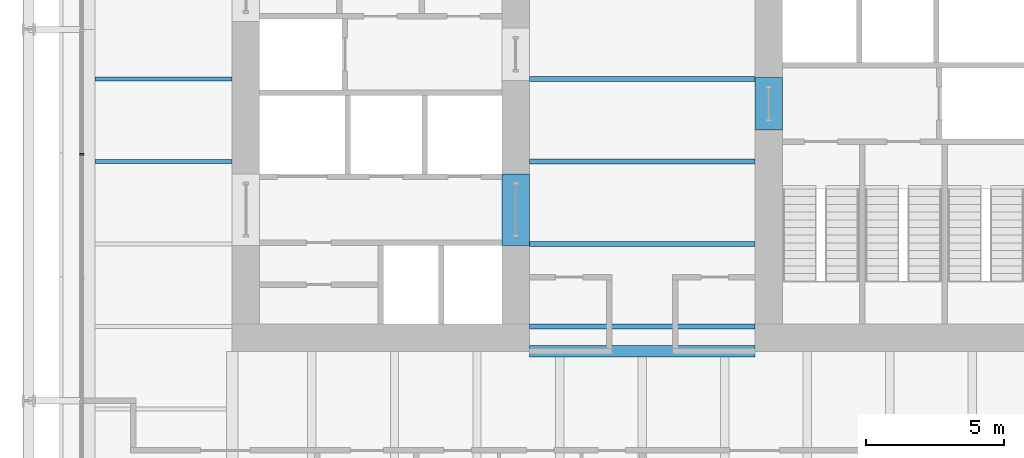
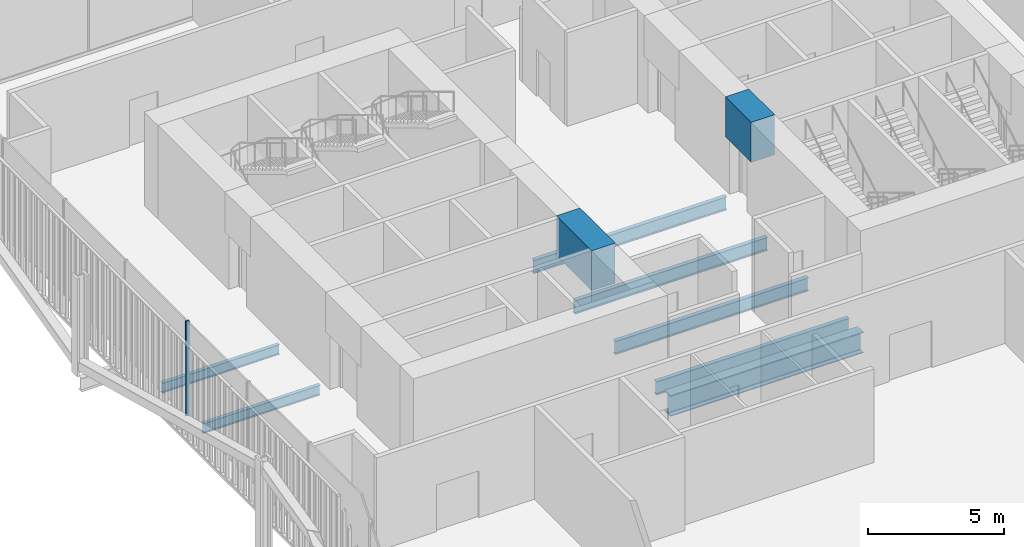
# One storey, part 7 of 21: 9 beams, 1 member, 1 element without a shape of its own.
"""IFC4 building model written with IfcOpenShell, lengths in metres."""

from ifc_helpers import new_model, si_unit, direction, frame, origin, origin_2d, place, context, subcontext, project, spatial, rectangle, i_section, extrude, material, layer, layer_set, material_profile, profile_set, type_object, element, aggregate, save


model = new_model("IFC4")

# Units and contexts
model_context = context("Model", 3, precision=1e-05, world=origin(), true_north=direction((0.0, 1.0)))
body_context = subcontext(model_context, "Body", "Model", "MODEL_VIEW")
ifc_project = project(units=[si_unit("LENGTHUNIT", "METRE"), si_unit("AREAUNIT", "SQUARE_METRE"), si_unit("VOLUMEUNIT", "CUBIC_METRE"), si_unit("PLANEANGLEUNIT", "RADIAN"), si_unit("MASSUNIT", "GRAM", prefix="KILO")], contexts=[model_context])

# Site, building, storey
site_placement = place(None, origin())
site = spatial("IfcSite", under=ifc_project, at=site_placement, CompositionType="ELEMENT")
building_placement = place(site_placement, origin())
building = spatial("IfcBuilding", under=site, at=building_placement, Name="Millrace Tower", CompositionType="ELEMENT")
storey_placement = place(building_placement, frame((0.0, 0.0, 90.800048828125)))
storey = spatial("IfcBuildingStorey", under=building, at=storey_placement, Name="L20", CompositionType="ELEMENT", Elevation=90.800048828125)

# Curtain wall, member
ifc_material_1 = material(Name="Aluminium and glass", Category="aluminium")
ifc_layer = layer(ifc_material_1, 0.14990234375)
ifc_layer_set = layer_set([ifc_layer], Name="Aluminium and glass")
curtain_wall_type = type_object("IfcCurtainWallType", Name="CW-3 telecom floor curtain wall", PredefinedType="NOTDEFINED", material=ifc_layer_set)
curtain_wall_placement = place(storey_placement, origin())
curtain_wall = element("IfcCurtainWall", 1, at=curtain_wall_placement, inside=storey, type_object=curtain_wall_type, Name="Curtain wall B-F08 L20", PredefinedType="NOTDEFINED")
ifc_material_2 = material(Name="Aluminium", Category="aluminium")
ifc_material_profile_1 = material_profile(ifc_material_2, rectangle(XDim=0.06494140625, YDim=0.14990234375, at=origin_2d()))
ifc_profile_set_1 = profile_set([ifc_material_profile_1], Name="Aluminium")
member_type = type_object("IfcMemberType", Name="CW-3 telecom floor curtain wall mullion", PredefinedType="MULLION", material=ifc_profile_set_1)
member_placement = place(storey_placement, frame((-20.375, -2.732421875, 0.14990234375), z_axis=(0.0, 0.0, 1.0), x_axis=(0.0, -1.0, 0.0)))
member = element("IfcMember", 2, at=member_placement, type_object=member_type, Name="CW3 mullion B-F08.5", PredefinedType="MULLION", context=body_context, shape_type="SweptSolid", body=[
    extrude(rectangle(XDim=0.06494140625, YDim=0.14990234375, at=origin_2d()), origin(), (0.0, 0.0, 1.0), 4.25),
])
aggregate(curtain_wall, [member])

# Beams
ifc_material_3 = material(Name="Concrete C80", Category="concrete")
ifc_material_profile_2 = material_profile(ifc_material_3, rectangle(XDim=1.0, YDim=1.800048828125, at=origin_2d()))
ifc_profile_set_2 = profile_set([ifc_material_profile_2], Name="Concrete C80")
beam_type_1 = type_object("IfcBeamType", Name="Coupling beam 1000 x 1800 Concrete C80, 1300 opening", PredefinedType="BEAM", material=ifc_profile_set_2)
beam_1_placement = place(storey_placement, frame((4.60009765625, 0.050048828125, 3.300048828125), z_axis=(0.0, -1.0, 0.0), x_axis=(1.0, 0.0, 0.0)))
element("IfcBeam", 3, at=beam_1_placement, inside=storey, type_object=beam_type_1, Name="Coupling beam E L20", PredefinedType="BEAM", context=body_context, shape_type="SweptSolid", body=[
    extrude(rectangle(XDim=1.0, YDim=1.800048828125, at=origin_2d()), origin(), (0.0, 0.0, 1.0), 1.900146484375),
])
ifc_material_4 = material(Name="Concrete C80", Category="concrete")
ifc_material_profile_3 = material_profile(ifc_material_4, rectangle(XDim=1.0, YDim=1.800048828125, at=origin_2d()))
ifc_profile_set_3 = profile_set([ifc_material_profile_3], Name="Concrete C80")
beam_type_2 = type_object("IfcBeamType", Name="Coupling beam 1000 x 1800 Concrete C80, 2000 opening", PredefinedType="BEAM", material=ifc_profile_set_3)
beam_2_placement = place(storey_placement, frame((-4.60009765625, -6.050048828125, 3.300048828125), z_axis=(0.0, 1.0, 0.0), x_axis=(-1.0, 0.0, 0.0)))
element("IfcBeam", 4, at=beam_2_placement, inside=storey, type_object=beam_type_2, Name="Coupling beam W L20", PredefinedType="BEAM", context=body_context, shape_type="SweptSolid", body=[
    extrude(rectangle(XDim=1.0, YDim=1.800048828125, at=origin_2d()), origin(), (0.0, 0.0, 1.0), 2.60009765625),
])
ifc_material_5 = material(Name="Steel ASTM A992 Grade 50", Category="steel")
ifc_material_profile_4 = material_profile(ifc_material_5, i_section(OverallWidth=0.15234375, OverallDepth=0.449462890625, WebThickness=0.007568359375, FlangeThickness=0.0107421875, FilletRadius=0.01025390625, at=origin_2d()))
ifc_profile_set_4 = profile_set([ifc_material_profile_4], Name="Steel ASTM A992 Grade 50")
beam_type_3 = type_object("IfcBeamType", Name="Floor beam W18x35", PredefinedType="JOIST", material=ifc_profile_set_4)
for number, where, z_axis, x_axis, name in (
    (5, (-19.880859375, -3.0, -0.4248046875), (1.0, 0.0, 0.0), (0.0, 1.0, 0.0), "BM-B-L20-S1-S020"),
    (6, (-19.880859375, 0.0, -0.4248046875), (1.0, 0.0, 0.0), (0.0, 1.0, 0.0), "BM-B-L20-S1-S023"),
):
    element("IfcBeam", number, at=place(storey_placement, frame(where, z_axis=z_axis, x_axis=x_axis)), inside=storey, type_object=beam_type_3, Name=name, PredefinedType="JOIST", context=body_context, shape_type="SweptSolid", body=[
        extrude(i_section(OverallWidth=0.15234375, OverallDepth=0.449462890625, WebThickness=0.007568359375, FlangeThickness=0.0107421875, FilletRadius=0.01025390625, at=origin_2d()), origin(), (0.0, 0.0, 1.0), 4.98095703125),
    ])
ifc_material_6 = material(Name="Steel ASTM A992 Grade 50", Category="steel")
ifc_material_profile_5 = material_profile(ifc_material_6, i_section(OverallWidth=0.177978515625, OverallDepth=0.599365234375, WebThickness=0.010009765625, FlangeThickness=0.012939453125, FilletRadius=0.012939453125, at=origin_2d()))
ifc_profile_set_5 = profile_set([ifc_material_profile_5], Name="Steel ASTM A992 Grade 50")
beam_type_4 = type_object("IfcBeamType", Name="Floor beam W24x55", PredefinedType="JOIST", material=ifc_profile_set_5)
for number, where, z_axis, x_axis, name in (
    (7, (-4.10009765625, -9.0, -0.499755859375), (1.0, 0.0, 0.0), (0.0, 1.0, 0.0), "BM-B-L20-S1-S013"),
    (8, (-4.10009765625, -6.0, -0.499755859375), (1.0, 0.0, 0.0), (0.0, 1.0, 0.0), "BM-B-L20-S1-S016"),
    (9, (-4.10009765625, -3.0, -0.499755859375), (1.0, 0.0, 0.0), (0.0, 1.0, 0.0), "BM-B-L20-S1-S019"),
    (10, (-4.10009765625, 0.0, -0.499755859375), (1.0, 0.0, 0.0), (0.0, 1.0, 0.0), "BM-B-L20-S1-S022"),
):
    element("IfcBeam", number, at=place(storey_placement, frame(where, z_axis=z_axis, x_axis=x_axis)), inside=storey, type_object=beam_type_4, Name=name, PredefinedType="JOIST", context=body_context, shape_type="SweptSolid", body=[
        extrude(i_section(OverallWidth=0.177978515625, OverallDepth=0.599365234375, WebThickness=0.010009765625, FlangeThickness=0.012939453125, FilletRadius=0.012939453125, at=origin_2d()), origin(), (0.0, 0.0, 1.0), 8.2001953125),
    ])
ifc_material_7 = material(Name="Steel ASTM A992 Grade 50", Category="steel")
ifc_material_profile_6 = material_profile(ifc_material_7, i_section(OverallWidth=0.421630859375, OverallDepth=0.937255859375, WebThickness=0.021240234375, FlangeThickness=0.03662109375, FilletRadius=0.024169921875, at=origin_2d()))
ifc_profile_set_6 = profile_set([ifc_material_profile_6], Name="Steel ASTM A992 Grade 50")
beam_type_5 = type_object("IfcBeamType", Name="Girder short span W36x262", PredefinedType="BEAM", material=ifc_profile_set_6)
beam_3_placement = place(storey_placement, frame((-4.10009765625, -9.89990234375, -0.668701171875), z_axis=(1.0, 0.0, 0.0), x_axis=(0.0, 1.0, 0.0)))
element("IfcBeam", 11, at=beam_3_placement, inside=storey, type_object=beam_type_5, Name="BM-B-L20-S1-G063", PredefinedType="BEAM", context=body_context, shape_type="SweptSolid", body=[
    extrude(i_section(OverallWidth=0.421630859375, OverallDepth=0.937255859375, WebThickness=0.021240234375, FlangeThickness=0.03662109375, FilletRadius=0.024169921875, at=origin_2d()), origin(), (0.0, 0.0, 1.0), 8.2001953125),
])

save(model, "model.ifc")
